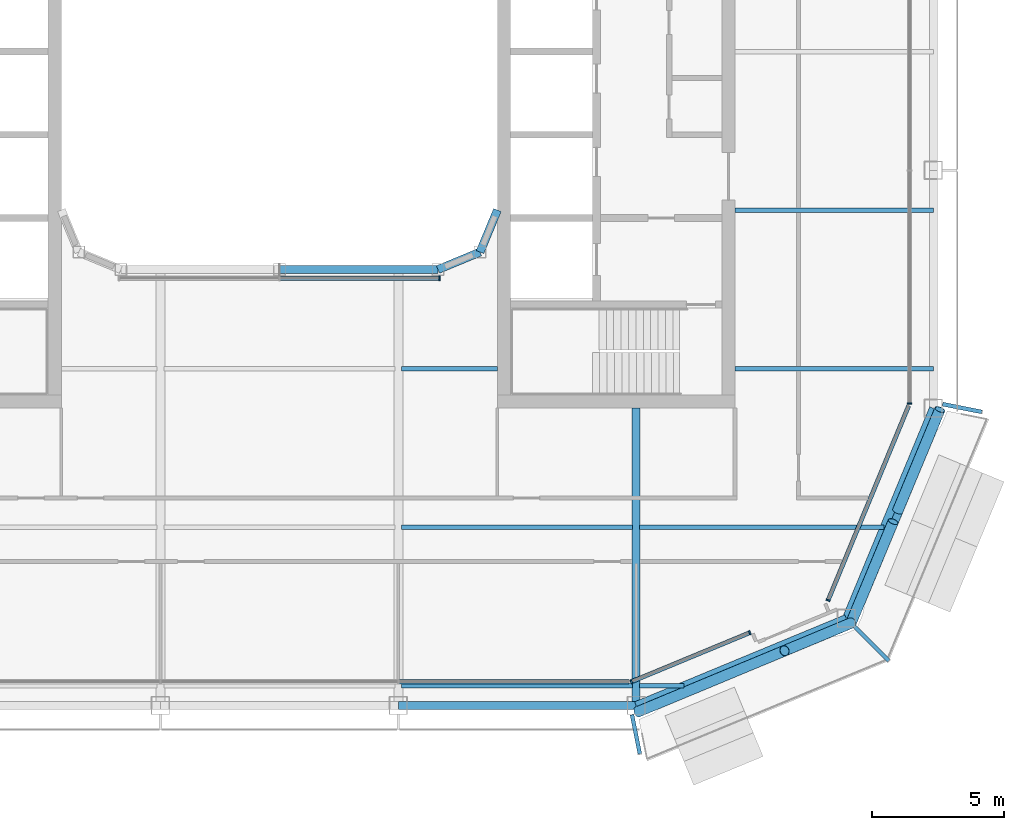
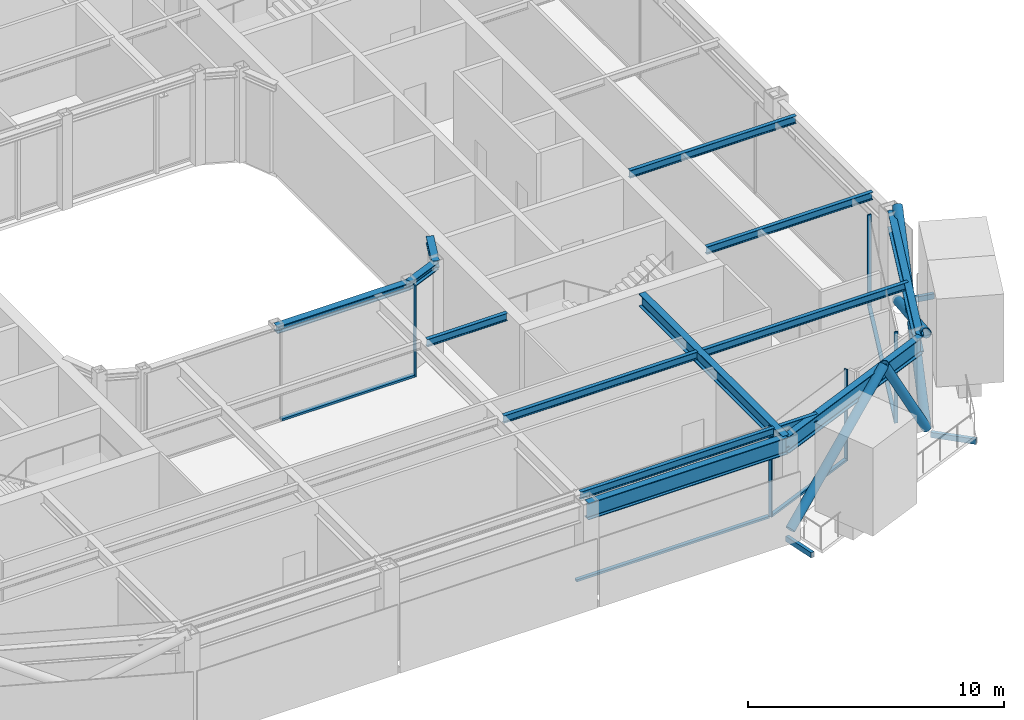
# One storey, part 5 of 21: 17 beams, 14 members, 5 elements without a shape of their own.
"""IFC4 building model written with IfcOpenShell, lengths in metres."""

from ifc_helpers import new_model, si_unit, direction, frame, origin, origin_2d, place, context, subcontext, project, spatial, rectangle, hollow_rectangle, hollow_circle, i_section, extrude, material, layer, layer_set, material_profile, profile_set, type_object, element, aggregate, save


model = new_model("IFC4")

# Units and contexts
model_context = context("Model", 3, precision=1e-05, world=origin(), true_north=direction((0.0, 1.0)))
body_context = subcontext(model_context, "Body", "Model", "MODEL_VIEW")
ifc_project = project(units=[si_unit("LENGTHUNIT", "METRE"), si_unit("AREAUNIT", "SQUARE_METRE"), si_unit("VOLUMEUNIT", "CUBIC_METRE"), si_unit("PLANEANGLEUNIT", "RADIAN"), si_unit("MASSUNIT", "GRAM", prefix="KILO")], contexts=[model_context])

# Site, building, storey
site_placement = place(None, origin())
site = spatial("IfcSite", under=ifc_project, at=site_placement, CompositionType="ELEMENT")
building_placement = place(site_placement, origin())
building = spatial("IfcBuilding", under=site, at=building_placement, Name="Siwar Civic Tower", CompositionType="ELEMENT")
storey_placement = place(building_placement, frame((0.0, 0.0, 339.199951171875)))
storey = spatial("IfcBuildingStorey", under=building, at=storey_placement, Name="L73", CompositionType="ELEMENT", Elevation=339.199951171875)

# Beams
ifc_material_1 = material(Name="Steel S355", Category="steel")
ifc_material_profile_1 = material_profile(ifc_material_1, hollow_rectangle(XDim=0.14990234375, YDim=0.25, WallThickness=0.010009765625, at=origin_2d()), Name="RHS250x150x10")
ifc_profile_set_1 = profile_set([ifc_material_profile_1], Name="Steel S355")
beam_type_1 = type_object("IfcBeamType", Name="ENV-BALCONY ARM", PredefinedType="BEAM", material=ifc_profile_set_1)
beam_1_placement = place(storey_placement, frame((13.34521484375, -25.10009765625, -0.27490234375), z_axis=(0.195123670207, -0.980778646446, 0.0), x_axis=(0.980778646446, 0.195123670207, 0.0)))
element("IfcBeam", 1, at=beam_1_placement, inside=storey, type_object=beam_type_1, Name="Balcony cantilever beam SE 1", PredefinedType="BEAM", context=body_context, shape_type="SweptSolid", body=[
    extrude(hollow_rectangle(XDim=0.14990234375, YDim=0.25, WallThickness=0.010009765625, at=origin_2d()), origin(), (0.0, 0.0, 1.0), 1.513916015625),
])
beam_2_placement = place(storey_placement, frame((21.76953125, -21.76953125, -0.27490234375), z_axis=(0.707106781187, -0.707106781187, 0.0), x_axis=(0.707106781187, 0.707106781187, 0.0)))
element("IfcBeam", 2, at=beam_2_placement, inside=storey, type_object=beam_type_1, Name="Balcony cantilever beam SE 2", PredefinedType="BEAM", context=body_context, shape_type="SweptSolid", body=[
    extrude(hollow_rectangle(XDim=0.14990234375, YDim=0.25, WallThickness=0.010009765625, at=origin_2d()), origin(), (0.0, 0.0, 1.0), 1.828125),
])
beam_3_placement = place(storey_placement, frame((25.10009765625, -13.34521484375, -0.27490234375), z_axis=(0.980778646446, -0.195123670207, 0.0), x_axis=(0.195123670207, 0.980778646446, 0.0)))
element("IfcBeam", 3, at=beam_3_placement, inside=storey, type_object=beam_type_1, Name="Balcony cantilever beam SE 3", PredefinedType="BEAM", context=body_context, shape_type="SweptSolid", body=[
    extrude(hollow_rectangle(XDim=0.14990234375, YDim=0.25, WallThickness=0.010009765625, at=origin_2d()), origin(), (0.0, 0.0, 1.0), 1.513916015625),
])

# Curtain wall, members
ifc_material_2 = material(Name="Aluminium clad insulated panel", Category="aluminium")
ifc_layer_1 = layer(ifc_material_2, 0.159912109375)
ifc_layer_set_1 = layer_set([ifc_layer_1], Name="Aluminium clad insulated panel")
curtain_wall_type_1 = type_object("IfcCurtainWallType", Name="ENV-CW-DX", PredefinedType="NOTDEFINED", material=ifc_layer_set_1)
curtain_wall_1_placement = place(storey_placement, origin())
curtain_wall_1 = element("IfcCurtainWall", 4, at=curtain_wall_1_placement, inside=storey, type_object=curtain_wall_type_1, Name="Curtain wall D SE1", PredefinedType="NOTDEFINED")
ifc_material_3 = material(Name="Aluminium 6063-T6", Category="aluminium")
ifc_material_profile_2 = material_profile(ifc_material_3, rectangle(XDim=0.159912109375, YDim=0.06005859375, at=origin_2d()), Name="AL 160x60")
ifc_profile_set_2 = profile_set([ifc_material_profile_2], Name="Aluminium 6063-T6")
member_type_1 = type_object("IfcMemberType", Name="ENV-MULLION-D", PredefinedType="MULLION", material=ifc_profile_set_2)
member_1_placement = place(storey_placement, frame((13.321044921875, -23.85009765625, 0.0), z_axis=(0.0, 0.0, 1.0), x_axis=(-0.382683432365, 0.923879532511, 0.0)))
member_1 = element("IfcMember", 5, at=member_1_placement, type_object=member_type_1, Name="Mullion D SE1 1", PredefinedType="MULLION", context=body_context, shape_type="SweptSolid", body=[
    extrude(rectangle(XDim=0.159912109375, YDim=0.06005859375, at=origin_2d()), origin(), (0.0, 0.0, 1.0), 4.35009765625),
])
member_2_placement = place(storey_placement, frame((17.799072265625, -21.9951171875, 0.0), z_axis=(0.0, 0.0, 1.0), x_axis=(-0.382683432365, 0.923879532511, 0.0)))
member_2 = element("IfcMember", 6, at=member_2_placement, type_object=member_type_1, Name="Mullion D SE1 2", PredefinedType="MULLION", context=body_context, shape_type="SweptSolid", body=[
    extrude(rectangle(XDim=0.159912109375, YDim=0.06005859375, at=origin_2d()), origin(), (0.0, 0.0, 1.0), 4.35009765625),
])

# Curtain wall, member
curtain_wall_2_placement = place(storey_placement, origin())
curtain_wall_2 = element("IfcCurtainWall", 7, at=curtain_wall_2_placement, inside=storey, type_object=curtain_wall_type_1, Name="Curtain wall D SE2", PredefinedType="NOTDEFINED")
member_3_placement = place(storey_placement, frame((20.76611328125, -20.76611328125, 0.0), z_axis=(0.0, 0.0, 1.0), x_axis=(-0.923879532511, 0.382683432365, 0.0)))
member_3 = element("IfcMember", 8, at=member_3_placement, type_object=member_type_1, Name="Mullion D SE2 1", PredefinedType="MULLION", context=body_context, shape_type="SweptSolid", body=[
    extrude(rectangle(XDim=0.159912109375, YDim=0.06005859375, at=origin_2d()), origin(), (0.0, 0.0, 1.0), 4.35009765625),
])

ifc_material_4 = material(Name="Aluminium and glass", Category="aluminium")
ifc_layer_2 = layer(ifc_material_4, 0.159912109375)
ifc_layer_set_2 = layer_set([ifc_layer_2], Name="Aluminium and glass")
curtain_wall_type_2 = type_object("IfcCurtainWallType", Name="ENV-CW-D", PredefinedType="NOTDEFINED", material=ifc_layer_set_2)
curtain_wall_3_placement = place(storey_placement, origin())
curtain_wall_3 = element("IfcCurtainWall", 9, at=curtain_wall_3_placement, inside=storey, type_object=curtain_wall_type_2, Name="Curtain wall D E", PredefinedType="NOTDEFINED")
member_4_placement = place(storey_placement, frame((23.85009765625, -13.321044921875, 0.0), z_axis=(0.0, 0.0, 1.0), x_axis=(-1.0, 0.0, 0.0)))
member_4 = element("IfcMember", 10, at=member_4_placement, type_object=member_type_1, Name="Mullion D E 1", PredefinedType="MULLION", context=body_context, shape_type="SweptSolid", body=[
    extrude(rectangle(XDim=0.159912109375, YDim=0.06005859375, at=origin_2d()), origin(), (0.0, 0.0, 1.0), 4.35009765625),
])
aggregate(curtain_wall_3, [member_4])

ifc_material_5 = material(Name="Aluminium and glass", Category="aluminium")
ifc_layer_3 = layer(ifc_material_5, 0.179931640625)
ifc_layer_set_3 = layer_set([ifc_layer_3], Name="Aluminium and glass")
curtain_wall_type_3 = type_object("IfcCurtainWallType", Name="ENV-CW-W", PredefinedType="NOTDEFINED", material=ifc_layer_set_3)
curtain_wall_4_placement = place(storey_placement, origin())
curtain_wall_4 = element("IfcCurtainWall", 11, at=curtain_wall_4_placement, inside=storey, type_object=curtain_wall_type_3, Name="Curtain wall W WS", PredefinedType="NOTDEFINED")
ifc_material_6 = material(Name="Aluminium 6063-T6", Category="aluminium")
ifc_material_profile_3 = material_profile(ifc_material_6, rectangle(XDim=0.179931640625, YDim=0.06005859375, at=origin_2d()), Name="AL 180x60")
ifc_profile_set_3 = profile_set([ifc_material_profile_3], Name="Aluminium 6063-T6")
member_type_2 = type_object("IfcMemberType", Name="ENV-MULLION-W", PredefinedType="MULLION", material=ifc_profile_set_3)
member_5_placement = place(storey_placement, frame((6.066650390625, -8.5849609375, 0.0), z_axis=(0.0, 0.0, 1.0), x_axis=(0.0, 1.0, 0.0)))
member_5 = element("IfcMember", 12, at=member_5_placement, type_object=member_type_2, Name="Mullion W WS 3", PredefinedType="MULLION", context=body_context, shape_type="SweptSolid", body=[
    extrude(rectangle(XDim=0.179931640625, YDim=0.06005859375, at=origin_2d()), origin(), (0.0, 0.0, 1.0), 4.35009765625),
])

curtain_wall_5_placement = place(storey_placement, origin())
curtain_wall_5 = element("IfcCurtainWall", 13, at=curtain_wall_5_placement, inside=storey, type_object=curtain_wall_type_2, Name="Curtain wall D S", PredefinedType="NOTDEFINED")
ifc_material_7 = material(Name="Aluminium 6063-T6", Category="aluminium")
ifc_material_profile_4 = material_profile(ifc_material_7, rectangle(XDim=0.159912109375, YDim=0.10009765625, at=origin_2d()), Name="AL 160x100")
ifc_profile_set_4 = profile_set([ifc_material_profile_4], Name="Aluminium 6063-T6")
member_type_3 = type_object("IfcMemberType", Name="ENV-TRANSOM-D", PredefinedType="USERDEFINED", material=ifc_profile_set_4)
member_6_placement = place(storey_placement, frame((4.530029296875, -23.85009765625, 0.050048828125), z_axis=(1.0, 0.0, 0.0), x_axis=(0.0, 1.0, 0.0)))
member_6 = element("IfcMember", 14, at=member_6_placement, type_object=member_type_3, Name="Transom D S 3", ObjectType="TRANSOM", PredefinedType="USERDEFINED", context=body_context, shape_type="SweptSolid", body=[
    extrude(rectangle(XDim=0.159912109375, YDim=0.10009765625, at=origin_2d()), origin(), (0.0, 0.0, 1.0), 8.693115234375),
])
aggregate(curtain_wall_5, [member_6])

# Member
member_7_placement = place(storey_placement, frame((13.3486328125, -23.838623046875, 0.050048828125), z_axis=(0.923877601363, 0.382688094537, 0.0), x_axis=(-0.382688094537, 0.923877601363, 0.0)))
member_7 = element("IfcMember", 15, at=member_7_placement, type_object=member_type_3, Name="Transom D SE1 1", ObjectType="TRANSOM", PredefinedType="USERDEFINED", context=body_context, shape_type="SweptSolid", body=[
    extrude(rectangle(XDim=0.159912109375, YDim=0.10009765625, at=origin_2d()), origin(), (0.0, 0.0, 1.0), 4.787353515625),
])

aggregate(curtain_wall_1, [member_1, member_2, member_7])

member_8_placement = place(storey_placement, frame((20.777587890625, -20.738525390625, 0.050048828125), z_axis=(0.382673515031, 0.923883640343, 0.0), x_axis=(-0.923883640343, 0.382673515031, 0.0)))
member_8 = element("IfcMember", 16, at=member_8_placement, type_object=member_type_3, Name="Transom D SE2 1", ObjectType="TRANSOM", PredefinedType="USERDEFINED", context=body_context, shape_type="SweptSolid", body=[
    extrude(rectangle(XDim=0.159912109375, YDim=0.10009765625, at=origin_2d()), origin(), (0.0, 0.0, 1.0), 7.930908203125),
])

aggregate(curtain_wall_2, [member_3, member_8])

ifc_material_8 = material(Name="Aluminium 6063-T6", Category="aluminium")
ifc_material_profile_5 = material_profile(ifc_material_8, rectangle(XDim=0.179931640625, YDim=0.10009765625, at=origin_2d()), Name="AL 180x100")
ifc_profile_set_5 = profile_set([ifc_material_profile_5], Name="Aluminium 6063-T6")
member_type_4 = type_object("IfcMemberType", Name="ENV-TRANSOM-W", PredefinedType="USERDEFINED", material=ifc_profile_set_5)
member_9_placement = place(storey_placement, frame((0.030029296875, -8.5849609375, 0.050048828125), z_axis=(1.0, 0.0, 0.0), x_axis=(0.0, 1.0, 0.0)))
member_9 = element("IfcMember", 17, at=member_9_placement, type_object=member_type_4, Name="Transom W WS 2", ObjectType="TRANSOM", PredefinedType="USERDEFINED", context=body_context, shape_type="SweptSolid", body=[
    extrude(rectangle(XDim=0.179931640625, YDim=0.10009765625, at=origin_2d()), origin(), (0.0, 0.0, 1.0), 6.006591796875),
])

aggregate(curtain_wall_4, [member_5, member_9])

# Members
ifc_material_9 = material(Name="Steel S355", Category="steel")
ifc_material_profile_6 = material_profile(ifc_material_9, hollow_circle(Radius=0.203125, WallThickness=0.01611328125, at=origin_2d()), Name="CHS406.4x16")
ifc_profile_set_6 = profile_set([ifc_material_profile_6], Name="Steel S355")
member_type_5 = type_object("IfcMemberType", Name="STR-BR-CHS406.4x16", PredefinedType="BRACE", material=ifc_profile_set_6)
member_10_placement = place(storey_placement, frame((24.9951171875, -13.548828125, 0.0), z_axis=(-0.341671493852, -0.821142553604, 0.457149315816), x_axis=(0.923264922524, -0.384163874976, 0.0)))
element("IfcMember", 18, at=member_10_placement, inside=storey, type_object=member_type_5, Name="L73/brc/DSE1-12-0-1", PredefinedType="BRACE", context=body_context, shape_type="SweptSolid", body=[
    extrude(hollow_circle(Radius=0.203125, WallThickness=0.01611328125, at=origin_2d()), origin(), (0.0, 0.0, 1.0), 9.843505859375),
])
member_11_placement = place(storey_placement, frame((21.6318359375, -21.6318359375, 0.0), z_axis=(0.341644380467, 0.821147096886, 0.457161418507), x_axis=(-0.923276488787, 0.38413607648, 0.0)))
element("IfcMember", 19, at=member_11_placement, inside=storey, type_object=member_type_5, Name="L73/brc/DSE1-12-0-2", PredefinedType="BRACE", context=body_context, shape_type="SweptSolid", body=[
    extrude(hollow_circle(Radius=0.203125, WallThickness=0.01611328125, at=origin_2d()), origin(), (0.0, 0.0, 1.0), 4.677001953125),
])
member_12_placement = place(storey_placement, frame((23.397216796875, -17.38916015625, 2.362060546875), z_axis=(0.341667178655, 0.821149689876, 0.457139722456), x_axis=(-0.923267827529, 0.384156893273, 0.0)))
element("IfcMember", 20, at=member_12_placement, inside=storey, type_object=member_type_5, Name="L73/brc/DSE1-12-0-3", PredefinedType="BRACE", context=body_context, shape_type="SweptSolid", body=[
    extrude(hollow_circle(Radius=0.203125, WallThickness=0.01611328125, at=origin_2d()), origin(), (0.0, 0.0, 1.0), 4.6767578125),
])
member_13_placement = place(storey_placement, frame((13.548828125, -24.9951171875, 0.0), z_axis=(0.739973158344, 0.307903068035, 0.598026275029), x_axis=(-0.384169803352, 0.923262455747, 0.0)))
element("IfcMember", 21, at=member_13_placement, inside=storey, type_object=member_type_5, Name="L73/brc/DSE1-12-0-0", PredefinedType="BRACE", context=body_context, shape_type="SweptSolid", body=[
    extrude(hollow_circle(Radius=0.203125, WallThickness=0.01611328125, at=origin_2d()), origin(), (0.0, 0.0, 1.0), 7.524658203125),
])
member_14_placement = place(storey_placement, frame((21.6318359375, -21.6318359375, 0.0), z_axis=(-0.478099094869, -0.198925611165, 0.855482236349), x_axis=(0.384150749045, -0.92327038402, 0.0)))
element("IfcMember", 22, at=member_14_placement, inside=storey, type_object=member_type_5, Name="L73/brc/DSE1-12-0-6", PredefinedType="BRACE", context=body_context, shape_type="SweptSolid", body=[
    extrude(hollow_circle(Radius=0.203125, WallThickness=0.01611328125, at=origin_2d()), origin(), (0.0, 0.0, 1.0), 5.26025390625),
])

# Beams
ifc_material_10 = material(Name="Steel S355", Category="steel")
ifc_material_profile_7 = material_profile(ifc_material_10, i_section(OverallWidth=0.169921875, OverallDepth=0.360107421875, WebThickness=0.008056640625, FlangeThickness=0.0126953125, FilletRadius=0.01806640625, at=origin_2d()), Name="IPE360")
ifc_profile_set_7 = profile_set([ifc_material_profile_7], Name="Steel S355")
beam_type_2 = type_object("IfcBeamType", Name="STR-FB-IPE360", PredefinedType="JOIST", material=ifc_profile_set_7)
beam_4_placement = place(storey_placement, frame((4.6298828125, -24.0, 4.170166015625), z_axis=(1.0, 0.0, 0.0), x_axis=(0.0, 1.0, 0.0)))
element("IfcBeam", 23, at=beam_4_placement, inside=storey, type_object=beam_type_2, Name="L73/bm/F004", PredefinedType="JOIST", context=body_context, shape_type="SweptSolid", body=[
    extrude(i_section(OverallWidth=0.169921875, OverallDepth=0.360107421875, WebThickness=0.008056640625, FlangeThickness=0.0126953125, FilletRadius=0.01806640625, at=origin_2d()), origin(), (0.0, 0.0, 1.0), 8.740234375),
])
beam_5_placement = place(storey_placement, frame((13.6298828125, -24.0, 4.170166015625), z_axis=(1.0, 0.0, 0.0), x_axis=(0.0, 1.0, 0.0)))
element("IfcBeam", 24, at=beam_5_placement, inside=storey, type_object=beam_type_2, Name="L73/bm/F005", PredefinedType="JOIST", context=body_context, shape_type="SweptSolid", body=[
    extrude(i_section(OverallWidth=0.169921875, OverallDepth=0.360107421875, WebThickness=0.008056640625, FlangeThickness=0.0126953125, FilletRadius=0.01806640625, at=origin_2d()), origin(), (0.0, 0.0, 1.0), 1.6806640625),
])
beam_6_placement = place(storey_placement, frame((4.6298828125, -18.0, 4.170166015625), z_axis=(1.0, 0.0, 0.0), x_axis=(0.0, 1.0, 0.0)))
element("IfcBeam", 25, at=beam_6_placement, inside=storey, type_object=beam_type_2, Name="L73/bm/F009", PredefinedType="JOIST", context=body_context, shape_type="SweptSolid", body=[
    extrude(i_section(OverallWidth=0.169921875, OverallDepth=0.360107421875, WebThickness=0.008056640625, FlangeThickness=0.0126953125, FilletRadius=0.01806640625, at=origin_2d()), origin(), (0.0, 0.0, 1.0), 8.740234375),
])
beam_7_placement = place(storey_placement, frame((13.6298828125, -18.0, 4.170166015625), z_axis=(1.0, 0.0, 0.0), x_axis=(0.0, 1.0, 0.0)))
element("IfcBeam", 26, at=beam_7_placement, inside=storey, type_object=beam_type_2, Name="L73/bm/F010", PredefinedType="JOIST", context=body_context, shape_type="SweptSolid", body=[
    extrude(i_section(OverallWidth=0.169921875, OverallDepth=0.360107421875, WebThickness=0.008056640625, FlangeThickness=0.0126953125, FilletRadius=0.01806640625, at=origin_2d()), origin(), (0.0, 0.0, 1.0), 9.256103515625),
])
beam_8_placement = place(storey_placement, frame((4.6298828125, -12.0, 4.170166015625), z_axis=(1.0, 0.0, 0.0), x_axis=(0.0, 1.0, 0.0)))
element("IfcBeam", 27, at=beam_8_placement, inside=storey, type_object=beam_type_2, Name="L73/bm/F014", PredefinedType="JOIST", context=body_context, shape_type="SweptSolid", body=[
    extrude(i_section(OverallWidth=0.169921875, OverallDepth=0.360107421875, WebThickness=0.008056640625, FlangeThickness=0.0126953125, FilletRadius=0.01806640625, at=origin_2d()), origin(), (0.0, 0.0, 1.0), 3.6201171875),
])
for number, where, z_axis, x_axis, name in (
    (28, (17.25, -12.0, 4.170166015625), (1.0, 0.0, 0.0), (0.0, 1.0, 0.0), "L73/bm/F015"),
    (29, (17.25, -6.0, 4.170166015625), (1.0, 0.0, 0.0), (0.0, 1.0, 0.0), "L73/bm/F017"),
):
    element("IfcBeam", number, at=place(storey_placement, frame(where, z_axis=z_axis, x_axis=x_axis)), inside=storey, type_object=beam_type_2, Name=name, PredefinedType="JOIST", context=body_context, shape_type="SweptSolid", body=[
        extrude(i_section(OverallWidth=0.169921875, OverallDepth=0.360107421875, WebThickness=0.008056640625, FlangeThickness=0.0126953125, FilletRadius=0.01806640625, at=origin_2d()), origin(), (0.0, 0.0, 1.0), 7.5),
    ])
ifc_material_11 = material(Name="Steel S355", Category="steel")
ifc_material_profile_8 = material_profile(ifc_material_11, i_section(OverallWidth=0.300048828125, OverallDepth=0.60009765625, WebThickness=0.015380859375, FlangeThickness=0.030029296875, FilletRadius=0.027099609375, at=origin_2d()), Name="HEB600")
ifc_profile_set_8 = profile_set([ifc_material_profile_8], Name="Steel S355")
beam_type_3 = type_object("IfcBeamType", Name="STR-PG-HEB600", PredefinedType="BEAM", material=ifc_profile_set_8)
beam_9_placement = place(storey_placement, frame((13.5, -24.75, 4.050048828125), z_axis=(0.0, 1.0, 0.0), x_axis=(-1.0, 0.0, 0.0)))
element("IfcBeam", 30, at=beam_9_placement, inside=storey, type_object=beam_type_3, Name="L73/bm/G07", PredefinedType="BEAM", context=body_context, shape_type="SweptSolid", body=[
    extrude(i_section(OverallWidth=0.300048828125, OverallDepth=0.60009765625, WebThickness=0.015380859375, FlangeThickness=0.030029296875, FilletRadius=0.027099609375, at=origin_2d()), origin(), (0.0, 0.0, 1.0), 11.25),
])
ifc_material_12 = material(Name="Steel S355", Category="steel")
ifc_material_profile_9 = material_profile(ifc_material_12, i_section(OverallWidth=0.31005859375, OverallDepth=0.340087890625, WebThickness=0.02099609375, FlangeThickness=0.0390625, FilletRadius=0.027099609375, at=origin_2d()), Name="HEM300")
ifc_profile_set_9 = profile_set([ifc_material_profile_9], Name="Steel S355")
beam_type_4 = type_object("IfcBeamType", Name="STR-RB-HEM300", PredefinedType="BEAM", material=ifc_profile_set_9)
beam_10_placement = place(storey_placement, frame((0.0, -8.25, 4.179931640625), z_axis=(1.0, 0.0, 0.0), x_axis=(0.0, 1.0, 0.0)))
element("IfcBeam", 31, at=beam_10_placement, inside=storey, type_object=beam_type_4, Name="L73/bm/RS2", PredefinedType="BEAM", context=body_context, shape_type="SweptSolid", body=[
    extrude(i_section(OverallWidth=0.31005859375, OverallDepth=0.340087890625, WebThickness=0.02099609375, FlangeThickness=0.0390625, FilletRadius=0.027099609375, at=origin_2d()), origin(), (0.0, 0.0, 1.0), 6.0),
])
for number, where, z_axis, x_axis, name in (
    (32, (6.0, -8.25, 4.179931640625), (0.923901072997, 0.382631424892, 0.0), (-0.382631424892, 0.923901072997, 0.0), "L73/bm/RS3"),
    (33, (7.591064453125, -7.591064453125, 4.179931640625), (0.382631424892, 0.923901072997, 0.0), (-0.923901072997, 0.382631424892, 0.0), "L73/bm/RSEE"),
):
    element("IfcBeam", number, at=place(storey_placement, frame(where, z_axis=z_axis, x_axis=x_axis)), inside=storey, type_object=beam_type_4, Name=name, PredefinedType="BEAM", context=body_context, shape_type="SweptSolid", body=[
        extrude(i_section(OverallWidth=0.31005859375, OverallDepth=0.340087890625, WebThickness=0.02099609375, FlangeThickness=0.0390625, FilletRadius=0.027099609375, at=origin_2d()), origin(), (0.0, 0.0, 1.0), 1.72216796875),
    ])
ifc_material_13 = material(Name="Steel S355", Category="steel")
ifc_material_profile_10 = material_profile(ifc_material_13, i_section(OverallWidth=0.300048828125, OverallDepth=0.800048828125, WebThickness=0.017578125, FlangeThickness=0.032958984375, FilletRadius=0.030029296875, at=origin_2d()), Name="HEB800")
ifc_profile_set_10 = profile_set([ifc_material_profile_10], Name="Steel S355")
beam_type_5 = type_object("IfcBeamType", Name="STR-SB-HEB800", PredefinedType="BEAM", material=ifc_profile_set_10)
beam_11_placement = place(storey_placement, frame((4.5, -24.75, 3.949951171875), z_axis=(1.0, 0.0, 0.0), x_axis=(0.0, 1.0, 0.0)))
element("IfcBeam", 34, at=beam_11_placement, inside=storey, type_object=beam_type_5, Name="L73/bm/SS-2", PredefinedType="BEAM", context=body_context, shape_type="SweptSolid", body=[
    extrude(i_section(OverallWidth=0.300048828125, OverallDepth=0.800048828125, WebThickness=0.017578125, FlangeThickness=0.032958984375, FilletRadius=0.030029296875, at=origin_2d()), origin(), (0.0, 0.0, 1.0), 9.0),
])
for number, where, z_axis, x_axis, name in (
    (35, (13.5, -24.75, 3.949951171875), (0.923872720536, 0.382699877515, 0.0), (-0.382699877515, 0.923872720536, 0.0), "L73/bm/SSE1-0"),
    (36, (21.454833984375, -21.454833984375, 3.949951171875), (0.382699877515, 0.923872720536, 0.0), (-0.923872720536, 0.382699877515, 0.0), "L73/bm/SSE2-0"),
):
    element("IfcBeam", number, at=place(storey_placement, frame(where, z_axis=z_axis, x_axis=x_axis)), inside=storey, type_object=beam_type_5, Name=name, PredefinedType="BEAM", context=body_context, shape_type="SweptSolid", body=[
        extrude(i_section(OverallWidth=0.300048828125, OverallDepth=0.800048828125, WebThickness=0.017578125, FlangeThickness=0.032958984375, FilletRadius=0.030029296875, at=origin_2d()), origin(), (0.0, 0.0, 1.0), 8.6103515625),
    ])

save(model, "model.ifc")
